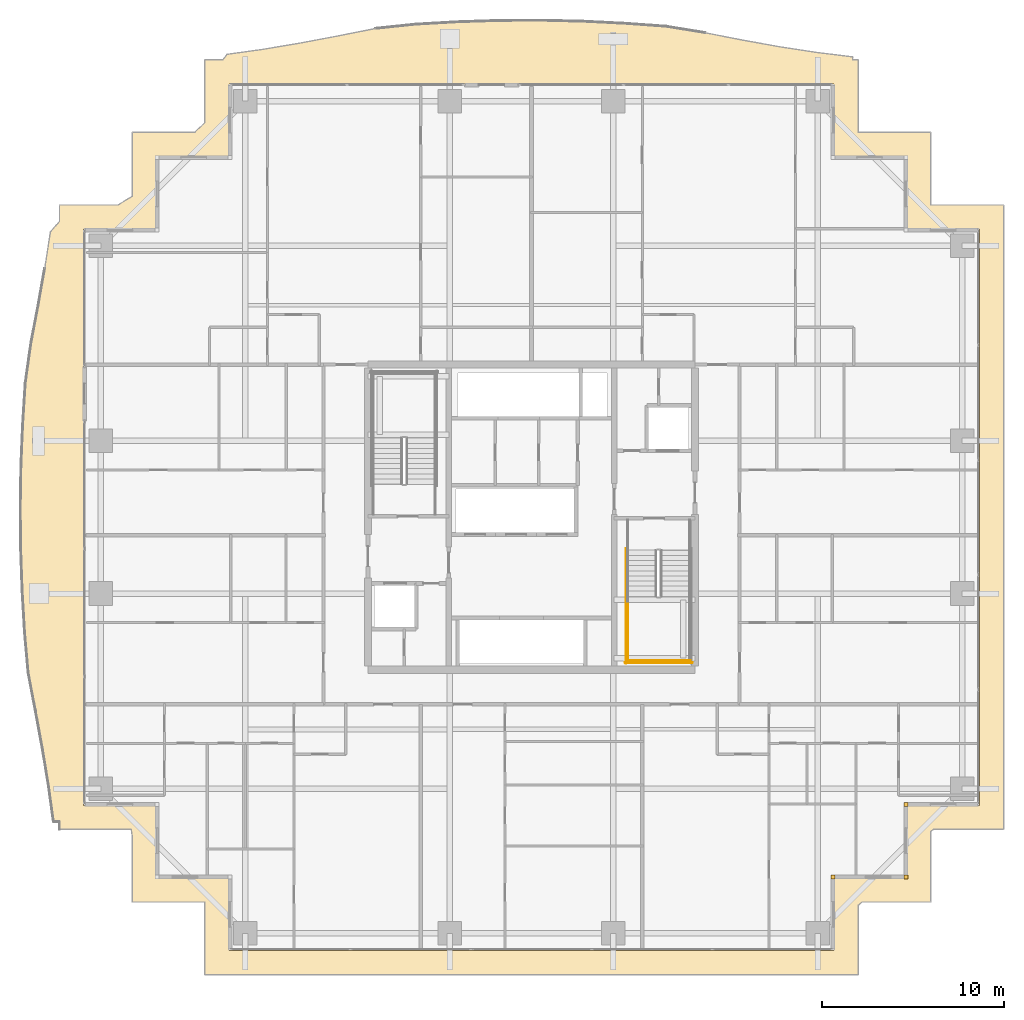
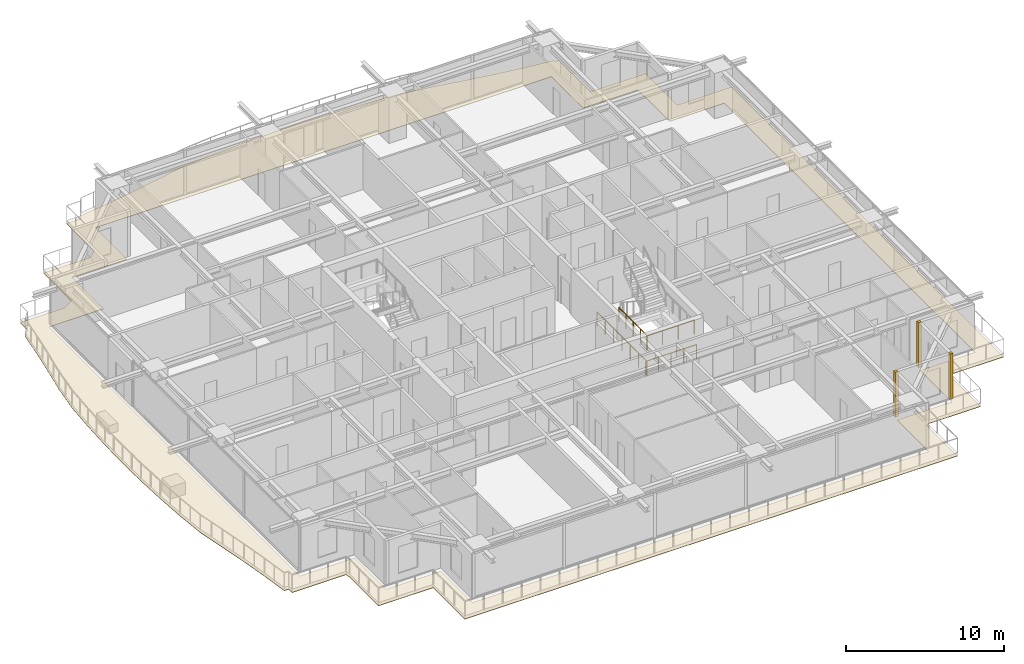
# One storey, part 36 of 38: 4 coverings, 4 railings.
"""IFC4 building model written with IfcOpenShell, lengths in metres."""

from ifc_helpers import new_model, si_unit, direction, frame, origin, origin_2d, place, context, subcontext, project, spatial, polyline, rectangle, circle, outline, extrude, source, transform, mapped, material, layer, layer_set, type_object, element, save


model = new_model("IFC4")

# Units and contexts
model_context = context("Model", 3, precision=1e-05, world=origin(), true_north=direction((0.0, 1.0)))
body_context = subcontext(model_context, "Body", "Model", "MODEL_VIEW")
ifc_project = project(units=[si_unit("LENGTHUNIT", "METRE"), si_unit("AREAUNIT", "SQUARE_METRE"), si_unit("VOLUMEUNIT", "CUBIC_METRE"), si_unit("PLANEANGLEUNIT", "RADIAN"), si_unit("MASSUNIT", "GRAM", prefix="KILO")], contexts=[model_context])

# Site, building, storey
site_placement = place(None, origin())
site = spatial("IfcSite", under=ifc_project, at=site_placement, CompositionType="ELEMENT")
building_placement = place(site_placement, origin())
building = spatial("IfcBuilding", under=site, at=building_placement, Name="Serunith Strait Residences", CompositionType="ELEMENT")
storey_placement = place(building_placement, frame((0.0, 0.0, 120.14990234375)))
storey = spatial("IfcBuildingStorey", under=building, at=storey_placement, Name="L29", CompositionType="ELEMENT", Elevation=120.14990234375)

# Covering
ifc_material_1 = material(Name="Golden Teak Exterior Timber Boarding", Category="wood")
ifc_layer_1 = layer(ifc_material_1, 0.034912109375, Name="Golden Teak Exterior Timber Boarding")
ifc_layer_set_1 = layer_set([ifc_layer_1], Name="Golden Teak Exterior Timber Boarding")
covering_type_1 = type_object("IfcCoveringType", Name="COV-TEAK-SOFFIT", PredefinedType="CEILING", material=ifc_layer_set_1)
covering_placement = place(storey_placement, frame((0.0, 0.0, -0.324951171875)))
element("IfcCovering", 1, at=covering_placement, inside=storey, type_object=covering_type_1, Name="L29 Golden-Teak Balcony Soffit Lining", PredefinedType="CEILING", context=body_context, shape_type="SweptSolid", body=[
    extrude(outline(polyline([(6.419921875, 8.02001953125), (6.419921875, 8.43017578125), (6.096923828125, 8.44873046875), (5.818603515625, 10.45068359375), (5.48583984375, 12.472412109375), (5.107177734375, 14.53076171875), (4.7060546875, 16.644287109375), (4.5078125, 18.869384765625), (4.376708984375, 21.136962890625), (4.29541015625, 23.42919921875), (4.272216796875, 25.733642578125), (4.30908203125, 28.03564453125), (4.403076171875, 30.3212890625), (4.544677734375, 32.5791015625), (4.8505859375, 34.75634765625), (5.24609375, 36.84521484375), (5.6083984375, 38.88623046875), (5.920654296875, 40.8974609375), (6.419921875, 41.4814453125), (6.419921875, 42.3798828125), (9.62939453125, 42.3798828125), (10.419921875, 42.8515625), (10.419921875, 46.3798828125), (13.863525390625, 46.3798828125), (14.419921875, 46.916015625), (14.419921875, 50.3798828125), (15.424072265625, 50.3798828125), (15.6328125, 50.672119140625), (17.630615234375, 50.95166015625), (19.647216796875, 51.290283203125), (21.70068359375, 51.679443359375), (23.8115234375, 52.095458984375), (26.036376953125, 52.325927734375), (28.3154296875, 52.456298828125), (30.6201171875, 52.530517578125), (32.93603515625, 52.540771484375), (35.2470703125, 52.486328125), (37.53759765625, 52.372802734375), (39.7958984375, 52.21142578125), (41.958740234375, 51.860107421875), (44.03759765625, 51.45361328125), (46.06982421875, 51.08935546875), (48.075439453125, 50.7822265625), (50.070068359375, 50.5341796875), (50.06884765625, 50.3798828125), (50.3798828125, 50.3798828125), (50.3798828125, 46.3798828125), (54.3798828125, 46.3798828125), (54.3798828125, 42.3798828125), (58.3798828125, 42.3798828125), (58.3798828125, 8.02001953125), (54.51513671875, 8.02001953125), (54.3798828125, 7.921875), (54.3798828125, 4.02001953125), (50.601806640625, 4.02001953125), (50.3798828125, 3.8408203125), (50.3798828125, 0.02001953125), (14.419921875, 0.02001953125), (14.419921875, 4.02001953125), (10.419921875, 4.02001953125), (10.419921875, 7.688232421875), (10.37109375, 8.02001953125), (6.419921875, 8.02001953125)]), holes=[polyline([(49.054931640625, 1.344970703125), (49.054931640625, 5.344970703125), (53.054931640625, 5.344970703125), (53.054931640625, 9.344970703125), (57.054931640625, 9.344970703125), (57.054931640625, 41.054931640625), (53.054931640625, 41.054931640625), (53.054931640625, 45.054931640625), (49.054931640625, 45.054931640625), (49.054931640625, 49.054931640625), (15.7451171875, 49.054931640625), (15.7451171875, 45.054931640625), (11.7451171875, 45.054931640625), (11.7451171875, 41.054931640625), (7.7451171875, 41.054931640625), (7.7451171875, 9.344970703125), (11.7451171875, 9.344970703125), (11.7451171875, 5.344970703125), (15.7451171875, 5.344970703125), (15.7451171875, 1.344970703125), (49.054931640625, 1.344970703125)])]), origin(), (0.0, 0.0, 1.0), 0.03515625),
])

# Railings
ifc_material_2 = material(Name="Brushed stainless steel 316L", Category="steel")
railing_type = type_object("IfcRailingType", Name="RLG-STAIR-GUARD", PredefinedType="BALUSTRADE", material=ifc_material_2)
railing_1_placement = place(storey_placement, frame((37.699951171875, 20.85009765625, 1.875)))
element("IfcRailing", 2, at=railing_1_placement, inside=storey, type_object=railing_type, Name="L29 ST-2 stair guard 3", PredefinedType="BALUSTRADE", context=body_context, shape_type="SweptSolid", body=[
    extrude(circle(Radius=0.02392578125, at=origin_2d()), frame((0.0, -0.001953125, 1.076171875), z_axis=(0.0, -1.0, 0.0), x_axis=(1.0, 0.0, 0.0)), (0.0, 0.0, 1.0), 3.59619140625),
    extrude(circle(Radius=0.02099609375, at=origin_2d()), origin(), (0.0, 0.0, 1.0), 1.050048828125),
    extrude(circle(Radius=0.02099609375, at=origin_2d()), frame((0.0, -0.89990234375, 0.0)), (0.0, 0.0, 1.0), 1.050048828125),
    extrude(circle(Radius=0.02099609375, at=origin_2d()), frame((0.0, -1.800048828125, 0.0)), (0.0, 0.0, 1.0), 1.050048828125),
    extrude(circle(Radius=0.02099609375, at=origin_2d()), frame((0.0, -2.7001953125, 0.0)), (0.0, 0.0, 1.0), 1.050048828125),
    extrude(circle(Radius=0.02099609375, at=origin_2d()), frame((0.0, -3.60009765625, 0.0)), (0.0, 0.0, 1.0), 1.050048828125),
])
railing_2_placement = place(storey_placement, frame((37.64990234375, 17.300048828125, 1.875)))
element("IfcRailing", 3, at=railing_2_placement, inside=storey, type_object=railing_type, Name="L29 ST-2 stair guard 5", PredefinedType="BALUSTRADE", context=body_context, shape_type="SweptSolid", body=[
    extrude(circle(Radius=0.02392578125, at=origin_2d()), frame((0.001953125, 0.0, 1.076171875), z_axis=(1.0, 0.0, 0.0), x_axis=(0.0, 1.0, 0.0)), (0.0, 0.0, 1.0), 3.49609375),
    extrude(circle(Radius=0.02099609375, at=origin_2d()), origin(), (0.0, 0.0, 1.0), 1.050048828125),
    extrude(circle(Radius=0.02099609375, at=origin_2d()), frame((1.166748046875, 0.0, 0.0)), (0.0, 0.0, 1.0), 1.050048828125),
    extrude(circle(Radius=0.02099609375, at=origin_2d()), frame((2.333251953125, 0.0, 0.0)), (0.0, 0.0, 1.0), 1.050048828125),
    extrude(circle(Radius=0.02099609375, at=origin_2d()), frame((3.5, 0.0, 0.0)), (0.0, 0.0, 1.0), 1.050048828125),
])
railing_3_placement = place(storey_placement, frame((37.60009765625, 23.469970703125, 0.0)))
element("IfcRailing", 4, at=railing_3_placement, inside=storey, type_object=railing_type, Name="L29 ST-2 stair guard 10", PredefinedType="BALUSTRADE", context=body_context, shape_type="SweptSolid", body=[
    extrude(circle(Radius=0.02392578125, at=origin_2d()), frame((0.0, -0.001953125, 1.076171875), z_axis=(0.0, -1.0, 0.0), x_axis=(1.0, 0.0, 0.0)), (0.0, 0.0, 1.0), 6.316162109375),
    extrude(circle(Radius=0.02099609375, at=origin_2d()), origin(), (0.0, 0.0, 1.0), 1.050048828125),
    extrude(circle(Radius=0.02099609375, at=origin_2d()), frame((0.0, -1.05322265625, 0.0)), (0.0, 0.0, 1.0), 1.050048828125),
    extrude(circle(Radius=0.02099609375, at=origin_2d()), frame((0.0, -2.106689453125, 0.0)), (0.0, 0.0, 1.0), 1.050048828125),
    extrude(circle(Radius=0.02099609375, at=origin_2d()), frame((0.0, -3.16015625, 0.0)), (0.0, 0.0, 1.0), 1.050048828125),
    extrude(circle(Radius=0.02099609375, at=origin_2d()), frame((0.0, -4.21337890625, 0.0)), (0.0, 0.0, 1.0), 1.050048828125),
    extrude(circle(Radius=0.02099609375, at=origin_2d()), frame((0.0, -5.2666015625, 0.0)), (0.0, 0.0, 1.0), 1.050048828125),
    extrude(circle(Radius=0.02099609375, at=origin_2d()), frame((0.0, -6.320068359375, 0.0)), (0.0, 0.0, 1.0), 1.050048828125),
])
railing_4_placement = place(storey_placement, frame((37.550048828125, 17.199951171875, 0.0)))
element("IfcRailing", 5, at=railing_4_placement, inside=storey, type_object=railing_type, Name="L29 ST-2 stair guard 12", PredefinedType="BALUSTRADE", context=body_context, shape_type="SweptSolid", body=[
    extrude(circle(Radius=0.02392578125, at=origin_2d()), frame((0.001953125, 0.0, 1.076171875), z_axis=(1.0, 0.0, 0.0), x_axis=(0.0, 1.0, 0.0)), (0.0, 0.0, 1.0), 3.696044921875),
    extrude(circle(Radius=0.02099609375, at=origin_2d()), origin(), (0.0, 0.0, 1.0), 1.050048828125),
    extrude(circle(Radius=0.02099609375, at=origin_2d()), frame((0.925048828125, 0.0, 0.0)), (0.0, 0.0, 1.0), 1.050048828125),
    extrude(circle(Radius=0.02099609375, at=origin_2d()), frame((1.85009765625, 0.0, 0.0)), (0.0, 0.0, 1.0), 1.050048828125),
    extrude(circle(Radius=0.02099609375, at=origin_2d()), frame((2.77490234375, 0.0, 0.0)), (0.0, 0.0, 1.0), 1.050048828125),
    extrude(circle(Radius=0.02099609375, at=origin_2d()), frame((3.699951171875, 0.0, 0.0)), (0.0, 0.0, 1.0), 1.050048828125),
])

# Coverings
ifc_material_3 = material(Name="Pale-Champagne Anodised Aluminium", Category="aluminium")
ifc_layer_2 = layer(ifc_material_3, 0.219970703125, Name="Pale-Champagne Anodised Aluminium")
ifc_layer_set_2 = layer_set([ifc_layer_2], Name="Pale-Champagne Anodised Aluminium")
covering_type_2 = type_object("IfcCoveringType", Name="COV-CORN-TRIM", PredefinedType="CLADDING", material=ifc_layer_set_2)
shared_shape = source(origin(), body_context, "Body", "SweptSolid", [
    extrude(rectangle(XDim=0.221923828125, YDim=0.221923828125, at=origin_2d()), origin(), (0.0, 0.0, 1.0), 3.47509765625),
])
for number, where, z_axis, x_axis, name in (
    (6, (49.0, 5.39990234375, 0.0), (0.0, 0.0, 1.0), (1.0, 0.0, 0.0), "L29 Girih Serrated Corner Trim Post 02"),
    (7, (53.0, 5.39990234375, 0.0), (0.0, 0.0, 1.0), (1.0, 0.0, 0.0), "L29 Girih Serrated Corner Trim Post 03"),
    (8, (53.0, 9.39990234375, 0.0), (0.0, 0.0, 1.0), (1.0, 0.0, 0.0), "L29 Girih Serrated Corner Trim Post 04"),
):
    element("IfcCovering", number, at=place(storey_placement, frame(where, z_axis=z_axis, x_axis=x_axis)), inside=storey, type_object=covering_type_2, Name=name, PredefinedType="CLADDING", context=body_context, shape_type="MappedRepresentation", body=[
        mapped(shared_shape, transform((0.0, 0.0, 0.0), scale=1.0)),
    ])

save(model, "model.ifc")
